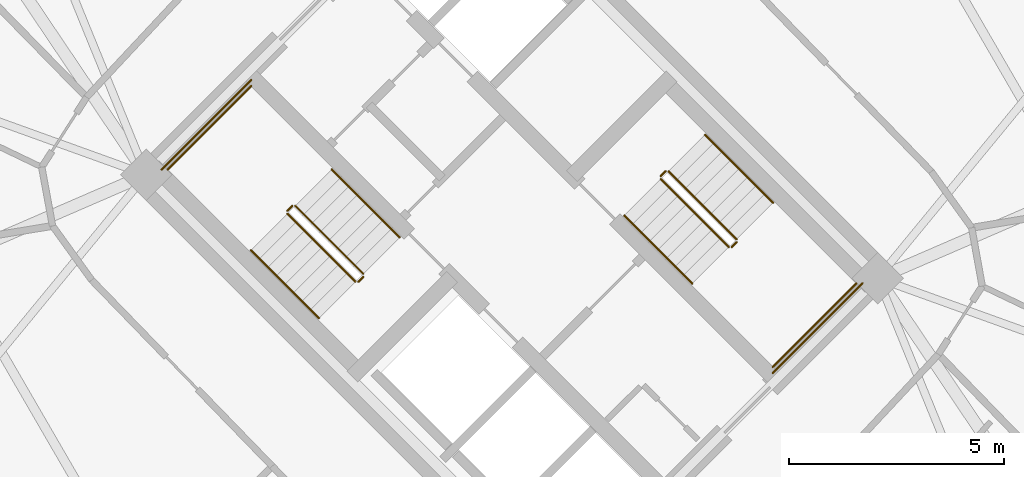
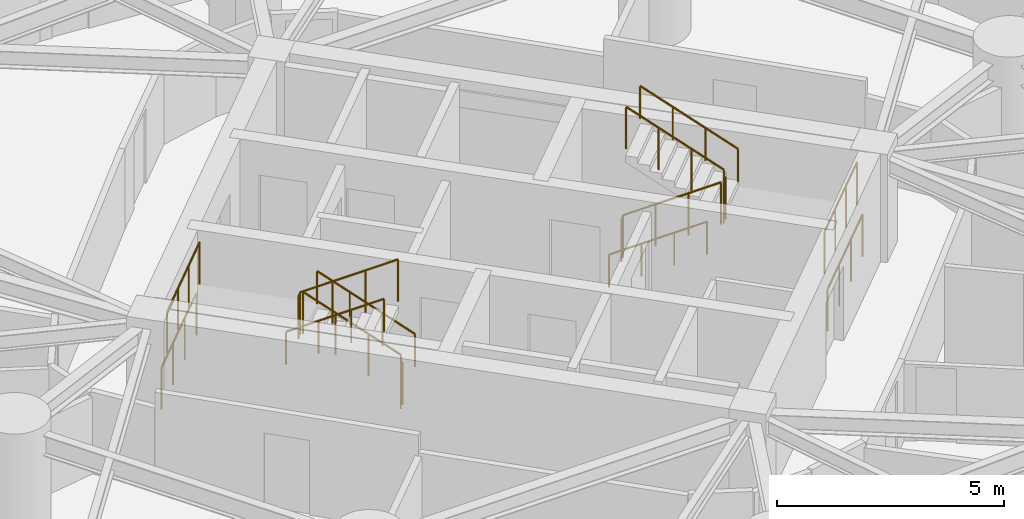
# One storey, part 18 of 19: 16 railings.
"""IFC4 building model written with IfcOpenShell, lengths in metres."""

from ifc_helpers import new_model, si_unit, direction, frame, origin, origin_2d, place, context, subcontext, project, spatial, circle, extrude, material, type_object, element, save


model = new_model("IFC4")

# Units and contexts
model_context = context("Model", 3, precision=1e-05, world=origin(), true_north=direction((0.0, 1.0)))
body_context = subcontext(model_context, "Body", "Model", "MODEL_VIEW")
ifc_project = project(units=[si_unit("LENGTHUNIT", "METRE"), si_unit("AREAUNIT", "SQUARE_METRE"), si_unit("VOLUMEUNIT", "CUBIC_METRE"), si_unit("PLANEANGLEUNIT", "RADIAN"), si_unit("MASSUNIT", "GRAM", prefix="KILO")], contexts=[model_context])

# Site, building, storey
site_placement = place(None, origin())
site = spatial("IfcSite", under=ifc_project, at=site_placement, CompositionType="ELEMENT")
building_placement = place(site_placement, origin())
building = spatial("IfcBuilding", under=site, at=building_placement, Name="Cununo Teusaquillo Station Towers", CompositionType="ELEMENT")
storey_placement = place(building_placement, frame((0.0, 0.0, 42.3701171875)))
storey = spatial("IfcBuildingStorey", under=building, at=storey_placement, Name="L12", CompositionType="ELEMENT", Elevation=42.3701171875)

# Railings
ifc_material_1 = material(Name="Steel EN 10025-2 S355J2", Category="steel")
railing_type_1 = type_object("IfcRailingType", Name="RL-INT-GUARD", PredefinedType="GUARDRAIL", material=ifc_material_1)
railing_1_placement = place(storey_placement, frame((54.03515625, 23.39697265625, 0.16162109375)))
element("IfcRailing", 1, at=railing_1_placement, inside=storey, type_object=railing_type_1, Name="L12 ST-T2-1 stair guard 1", PredefinedType="GUARDRAIL", context=body_context, shape_type="SweptSolid", body=[
    extrude(circle(Radius=0.02392578125, at=origin_2d()), frame((0.0, 0.0, 1.1259765625), z_axis=(-0.612361259024, 0.612361259024, 0.500027376144), x_axis=(-0.707106781187, -0.707106781187, 0.0)), (0.0, 0.0, 1.0), 2.586181640625),
    extrude(circle(Radius=0.02099609375, at=origin_2d()), origin(), (0.0, 0.0, 1.0), 1.101806640625),
    extrude(circle(Radius=0.02099609375, at=origin_2d()), frame((-0.52783203125, 0.52783203125, 0.43115234375)), (0.0, 0.0, 1.0), 1.101806640625),
    extrude(circle(Radius=0.02099609375, at=origin_2d()), frame((-1.055908203125, 1.055908203125, 0.862060546875)), (0.0, 0.0, 1.0), 1.101806640625),
    extrude(circle(Radius=0.02099609375, at=origin_2d()), frame((-1.583740234375, 1.583740234375, 1.293212890625)), (0.0, 0.0, 1.0), 1.101806640625),
])
railing_2_placement = place(storey_placement, frame((52.380615234375, 24.980712890625, 1.454833984375)))
element("IfcRailing", 2, at=railing_2_placement, inside=storey, type_object=railing_type_1, Name="L12 ST-T2-1 stair guard 2", PredefinedType="GUARDRAIL", context=body_context, shape_type="SweptSolid", body=[
    extrude(circle(Radius=0.02392578125, at=origin_2d()), frame((0.0, 0.0, 1.1259765625), z_axis=(-0.7078691598, -0.706343579714, 0.0), x_axis=(0.706343579714, -0.7078691598, 0.0)), (0.0, 0.0, 1.0), 0.159912109375),
    extrude(circle(Radius=0.02099609375, at=origin_2d()), origin(), (0.0, 0.0, 1.0), 1.101806640625),
    extrude(circle(Radius=0.02099609375, at=origin_2d()), frame((-0.11328125, -0.113037109375, 0.0)), (0.0, 0.0, 1.0), 1.101806640625),
])
railing_3_placement = place(storey_placement, frame((51.426025390625, 27.77392578125, 1.454833984375)))
element("IfcRailing", 3, at=railing_3_placement, inside=storey, type_object=railing_type_1, Name="L12 ST-T2-1 stair guard 3", PredefinedType="GUARDRAIL", context=body_context, shape_type="SweptSolid", body=[
    extrude(circle(Radius=0.02392578125, at=origin_2d()), frame((0.0, 0.0, 1.1259765625), z_axis=(-0.707106781187, -0.707106781187, 0.0), x_axis=(0.707106781187, -0.707106781187, 0.0)), (0.0, 0.0, 1.0), 2.760009765625),
    extrude(circle(Radius=0.02099609375, at=origin_2d()), origin(), (0.0, 0.0, 1.0), 1.101806640625),
    extrude(circle(Radius=0.02099609375, at=origin_2d()), frame((-0.650634765625, -0.650634765625, 0.0)), (0.0, 0.0, 1.0), 1.101806640625),
    extrude(circle(Radius=0.02099609375, at=origin_2d()), frame((-1.301025390625, -1.301025390625, 0.0)), (0.0, 0.0, 1.0), 1.101806640625),
    extrude(circle(Radius=0.02099609375, at=origin_2d()), frame((-1.95166015625, -1.95166015625, 0.0)), (0.0, 0.0, 1.0), 1.101806640625),
])
railing_4_placement = place(storey_placement, frame((52.267333984375, 24.796875, 1.616455078125)))
element("IfcRailing", 4, at=railing_4_placement, inside=storey, type_object=railing_type_1, Name="L12 ST-T2-1 stair guard 4", PredefinedType="GUARDRAIL", context=body_context, shape_type="SweptSolid", body=[
    extrude(circle(Radius=0.02392578125, at=origin_2d()), frame((0.0, 0.0, 1.1259765625), z_axis=(0.612391349474, -0.612296961165, 0.500069261639), x_axis=(0.707052281454, 0.707161276719, 0.0)), (0.0, 0.0, 1.0), 2.586669921875),
    extrude(circle(Radius=0.02099609375, at=origin_2d()), origin(), (0.0, 0.0, 1.0), 1.101806640625),
    extrude(circle(Radius=0.02099609375, at=origin_2d()), frame((0.528076171875, -0.52783203125, 0.43115234375)), (0.0, 0.0, 1.0), 1.101806640625),
    extrude(circle(Radius=0.02099609375, at=origin_2d()), frame((1.055908203125, -1.055908203125, 0.8623046875)), (0.0, 0.0, 1.0), 1.101806640625),
    extrude(circle(Radius=0.02099609375, at=origin_2d()), frame((1.583984375, -1.583740234375, 1.29345703125)), (0.0, 0.0, 1.0), 1.101806640625),
])
railing_5_placement = place(storey_placement, frame((54.03515625, 23.326171875, 0.0)))
element("IfcRailing", 5, at=railing_5_placement, inside=storey, type_object=railing_type_1, Name="L12 ST-T2-1 stair guard 5", PredefinedType="GUARDRAIL", context=body_context, shape_type="SweptSolid", body=[
    extrude(circle(Radius=0.02392578125, at=origin_2d()), frame((0.0, 0.0, 1.1259765625), z_axis=(-0.707106781187, -0.707106781187, 0.0), x_axis=(0.707106781187, -0.707106781187, 0.0)), (0.0, 0.0, 1.0), 0.159912109375),
    extrude(circle(Radius=0.02099609375, at=origin_2d()), origin(), (0.0, 0.0, 1.0), 1.101806640625),
    extrude(circle(Radius=0.02099609375, at=origin_2d()), frame((-0.113037109375, -0.113037109375, 0.0)), (0.0, 0.0, 1.0), 1.101806640625),
])
railing_6_placement = place(storey_placement, frame((51.426025390625, 27.915283203125, 0.0)))
element("IfcRailing", 6, at=railing_6_placement, inside=storey, type_object=railing_type_1, Name="L12 ST-T2-1 stair guard 6", PredefinedType="GUARDRAIL", context=body_context, shape_type="SweptSolid", body=[
    extrude(circle(Radius=0.02392578125, at=origin_2d()), frame((0.0, 0.0, 1.1259765625), z_axis=(-0.707106781187, -0.707106781187, 0.0), x_axis=(0.707106781187, -0.707106781187, 0.0)), (0.0, 0.0, 1.0), 2.9599609375),
    extrude(circle(Radius=0.02099609375, at=origin_2d()), origin(), (0.0, 0.0, 1.0), 1.101806640625),
    extrude(circle(Radius=0.02099609375, at=origin_2d()), frame((-0.69775390625, -0.69775390625, 0.0)), (0.0, 0.0, 1.0), 1.101806640625),
    extrude(circle(Radius=0.02099609375, at=origin_2d()), frame((-1.395263671875, -1.395263671875, 0.0)), (0.0, 0.0, 1.0), 1.101806640625),
    extrude(circle(Radius=0.02099609375, at=origin_2d()), frame((-2.093017578125, -2.093017578125, 0.0)), (0.0, 0.0, 1.0), 1.101806640625),
])
railing_7_placement = place(storey_placement, frame((60.96484375, 25.60302734375, 0.16162109375)))
element("IfcRailing", 7, at=railing_7_placement, inside=storey, type_object=railing_type_1, Name="L12 ST-T2-2 stair guard 1", PredefinedType="GUARDRAIL", context=body_context, shape_type="SweptSolid", body=[
    extrude(circle(Radius=0.02392578125, at=origin_2d()), frame((0.0, 0.0, 1.1259765625), z_axis=(0.612361259024, -0.612361259024, 0.500027376144), x_axis=(0.707106781187, 0.707106781187, 0.0)), (0.0, 0.0, 1.0), 2.586181640625),
    extrude(circle(Radius=0.02099609375, at=origin_2d()), origin(), (0.0, 0.0, 1.0), 1.101806640625),
    extrude(circle(Radius=0.02099609375, at=origin_2d()), frame((0.52783203125, -0.52783203125, 0.43115234375)), (0.0, 0.0, 1.0), 1.101806640625),
    extrude(circle(Radius=0.02099609375, at=origin_2d()), frame((1.055908203125, -1.055908203125, 0.862060546875)), (0.0, 0.0, 1.0), 1.101806640625),
    extrude(circle(Radius=0.02099609375, at=origin_2d()), frame((1.583740234375, -1.583740234375, 1.293212890625)), (0.0, 0.0, 1.0), 1.101806640625),
])
railing_8_placement = place(storey_placement, frame((62.619384765625, 24.019287109375, 1.454833984375)))
element("IfcRailing", 8, at=railing_8_placement, inside=storey, type_object=railing_type_1, Name="L12 ST-T2-2 stair guard 2", PredefinedType="GUARDRAIL", context=body_context, shape_type="SweptSolid", body=[
    extrude(circle(Radius=0.02392578125, at=origin_2d()), frame((0.0, 0.0, 1.1259765625), z_axis=(0.7078691598, 0.706343579714, 0.0), x_axis=(-0.706343579714, 0.7078691598, 0.0)), (0.0, 0.0, 1.0), 0.159912109375),
    extrude(circle(Radius=0.02099609375, at=origin_2d()), origin(), (0.0, 0.0, 1.0), 1.101806640625),
    extrude(circle(Radius=0.02099609375, at=origin_2d()), frame((0.11328125, 0.113037109375, 0.0)), (0.0, 0.0, 1.0), 1.101806640625),
])
railing_9_placement = place(storey_placement, frame((63.573974609375, 21.22607421875, 1.454833984375)))
element("IfcRailing", 9, at=railing_9_placement, inside=storey, type_object=railing_type_1, Name="L12 ST-T2-2 stair guard 3", PredefinedType="GUARDRAIL", context=body_context, shape_type="SweptSolid", body=[
    extrude(circle(Radius=0.02392578125, at=origin_2d()), frame((0.0, 0.0, 1.1259765625), z_axis=(0.707106781187, 0.707106781187, 0.0), x_axis=(-0.707106781187, 0.707106781187, 0.0)), (0.0, 0.0, 1.0), 2.760009765625),
    extrude(circle(Radius=0.02099609375, at=origin_2d()), origin(), (0.0, 0.0, 1.0), 1.101806640625),
    extrude(circle(Radius=0.02099609375, at=origin_2d()), frame((0.650634765625, 0.650634765625, 0.0)), (0.0, 0.0, 1.0), 1.101806640625),
    extrude(circle(Radius=0.02099609375, at=origin_2d()), frame((1.301025390625, 1.301025390625, 0.0)), (0.0, 0.0, 1.0), 1.101806640625),
    extrude(circle(Radius=0.02099609375, at=origin_2d()), frame((1.95166015625, 1.95166015625, 0.0)), (0.0, 0.0, 1.0), 1.101806640625),
])
railing_10_placement = place(storey_placement, frame((62.732666015625, 24.203125, 1.616455078125)))
element("IfcRailing", 10, at=railing_10_placement, inside=storey, type_object=railing_type_1, Name="L12 ST-T2-2 stair guard 4", PredefinedType="GUARDRAIL", context=body_context, shape_type="SweptSolid", body=[
    extrude(circle(Radius=0.02392578125, at=origin_2d()), frame((0.0, 0.0, 1.1259765625), z_axis=(-0.612391349474, 0.612296961165, 0.500069261639), x_axis=(-0.707052281454, -0.707161276719, 0.0)), (0.0, 0.0, 1.0), 2.586669921875),
    extrude(circle(Radius=0.02099609375, at=origin_2d()), origin(), (0.0, 0.0, 1.0), 1.101806640625),
    extrude(circle(Radius=0.02099609375, at=origin_2d()), frame((-0.528076171875, 0.52783203125, 0.43115234375)), (0.0, 0.0, 1.0), 1.101806640625),
    extrude(circle(Radius=0.02099609375, at=origin_2d()), frame((-1.055908203125, 1.055908203125, 0.8623046875)), (0.0, 0.0, 1.0), 1.101806640625),
    extrude(circle(Radius=0.02099609375, at=origin_2d()), frame((-1.583984375, 1.583740234375, 1.29345703125)), (0.0, 0.0, 1.0), 1.101806640625),
])
railing_11_placement = place(storey_placement, frame((60.96484375, 25.673828125, 0.0)))
element("IfcRailing", 11, at=railing_11_placement, inside=storey, type_object=railing_type_1, Name="L12 ST-T2-2 stair guard 5", PredefinedType="GUARDRAIL", context=body_context, shape_type="SweptSolid", body=[
    extrude(circle(Radius=0.02392578125, at=origin_2d()), frame((0.0, 0.0, 1.1259765625), z_axis=(0.707106781187, 0.707106781187, 0.0), x_axis=(-0.707106781187, 0.707106781187, 0.0)), (0.0, 0.0, 1.0), 0.159912109375),
    extrude(circle(Radius=0.02099609375, at=origin_2d()), origin(), (0.0, 0.0, 1.0), 1.101806640625),
    extrude(circle(Radius=0.02099609375, at=origin_2d()), frame((0.113037109375, 0.113037109375, 0.0)), (0.0, 0.0, 1.0), 1.101806640625),
])
railing_12_placement = place(storey_placement, frame((63.573974609375, 21.084716796875, 0.0)))
element("IfcRailing", 12, at=railing_12_placement, inside=storey, type_object=railing_type_1, Name="L12 ST-T2-2 stair guard 6", PredefinedType="GUARDRAIL", context=body_context, shape_type="SweptSolid", body=[
    extrude(circle(Radius=0.02392578125, at=origin_2d()), frame((0.0, 0.0, 1.1259765625), z_axis=(0.707106781187, 0.707106781187, 0.0), x_axis=(-0.707106781187, 0.707106781187, 0.0)), (0.0, 0.0, 1.0), 2.9599609375),
    extrude(circle(Radius=0.02099609375, at=origin_2d()), origin(), (0.0, 0.0, 1.0), 1.101806640625),
    extrude(circle(Radius=0.02099609375, at=origin_2d()), frame((0.69775390625, 0.69775390625, 0.0)), (0.0, 0.0, 1.0), 1.101806640625),
    extrude(circle(Radius=0.02099609375, at=origin_2d()), frame((1.395263671875, 1.395263671875, 0.0)), (0.0, 0.0, 1.0), 1.101806640625),
    extrude(circle(Radius=0.02099609375, at=origin_2d()), frame((2.093017578125, 2.093017578125, 0.0)), (0.0, 0.0, 1.0), 1.101806640625),
])
ifc_material_2 = material(Name="Steel EN 10025-2 S355J2", Category="steel")
railing_type_2 = type_object("IfcRailingType", Name="RL-INT-HRAIL", PredefinedType="HANDRAIL", material=ifc_material_2)
railing_13_placement = place(storey_placement, frame((54.8837890625, 24.245361328125, 0.16162109375)))
element("IfcRailing", 13, at=railing_13_placement, inside=storey, type_object=railing_type_2, Name="L12 ST-T2-1 stair handrail 1", PredefinedType="HANDRAIL", context=body_context, shape_type="SweptSolid", body=[
    extrude(circle(Radius=0.02392578125, at=origin_2d()), frame((0.0, 0.0, 0.8759765625), z_axis=(-0.612384857071, 0.612384857071, 0.499969572735), x_axis=(-0.707106781187, -0.707106781187, 0.0)), (0.0, 0.0, 1.0), 2.586669921875),
    extrude(circle(Radius=0.02099609375, at=origin_2d()), origin(), (0.0, 0.0, 1.0), 0.851806640625),
    extrude(circle(Radius=0.02099609375, at=origin_2d()), frame((-0.528076171875, 0.528076171875, 0.43115234375)), (0.0, 0.0, 1.0), 0.851806640625),
    extrude(circle(Radius=0.02099609375, at=origin_2d()), frame((-1.055908203125, 1.055908203125, 0.862060546875)), (0.0, 0.0, 1.0), 0.851806640625),
    extrude(circle(Radius=0.02099609375, at=origin_2d()), frame((-1.583984375, 1.583984375, 1.293212890625)), (0.0, 0.0, 1.0), 0.851806640625),
])
railing_14_placement = place(storey_placement, frame((51.4189453125, 23.948486328125, 1.616455078125)))
element("IfcRailing", 14, at=railing_14_placement, inside=storey, type_object=railing_type_2, Name="L12 ST-T2-1 stair handrail 2", PredefinedType="HANDRAIL", context=body_context, shape_type="SweptSolid", body=[
    extrude(circle(Radius=0.02392578125, at=origin_2d()), frame((0.0, 0.0, 0.8759765625), z_axis=(0.612355957468, -0.612355957468, 0.500040361077), x_axis=(0.707106781187, 0.707106781187, 0.0)), (0.0, 0.0, 1.0), 2.586669921875),
    extrude(circle(Radius=0.02099609375, at=origin_2d()), origin(), (0.0, 0.0, 1.0), 0.851806640625),
    extrude(circle(Radius=0.02099609375, at=origin_2d()), frame((0.528076171875, -0.528076171875, 0.43115234375)), (0.0, 0.0, 1.0), 0.851806640625),
    extrude(circle(Radius=0.02099609375, at=origin_2d()), frame((1.055908203125, -1.055908203125, 0.8623046875)), (0.0, 0.0, 1.0), 0.851806640625),
    extrude(circle(Radius=0.02099609375, at=origin_2d()), frame((1.583984375, -1.583984375, 1.29345703125)), (0.0, 0.0, 1.0), 0.851806640625),
])
railing_15_placement = place(storey_placement, frame((60.1162109375, 24.754638671875, 0.16162109375)))
element("IfcRailing", 15, at=railing_15_placement, inside=storey, type_object=railing_type_2, Name="L12 ST-T2-2 stair handrail 1", PredefinedType="HANDRAIL", context=body_context, shape_type="SweptSolid", body=[
    extrude(circle(Radius=0.02392578125, at=origin_2d()), frame((0.0, 0.0, 0.8759765625), z_axis=(0.612384857071, -0.612384857071, 0.499969572735), x_axis=(0.707106781187, 0.707106781187, 0.0)), (0.0, 0.0, 1.0), 2.586669921875),
    extrude(circle(Radius=0.02099609375, at=origin_2d()), origin(), (0.0, 0.0, 1.0), 0.851806640625),
    extrude(circle(Radius=0.02099609375, at=origin_2d()), frame((0.528076171875, -0.528076171875, 0.43115234375)), (0.0, 0.0, 1.0), 0.851806640625),
    extrude(circle(Radius=0.02099609375, at=origin_2d()), frame((1.055908203125, -1.055908203125, 0.862060546875)), (0.0, 0.0, 1.0), 0.851806640625),
    extrude(circle(Radius=0.02099609375, at=origin_2d()), frame((1.583984375, -1.583984375, 1.293212890625)), (0.0, 0.0, 1.0), 0.851806640625),
])
railing_16_placement = place(storey_placement, frame((63.5810546875, 25.051513671875, 1.616455078125)))
element("IfcRailing", 16, at=railing_16_placement, inside=storey, type_object=railing_type_2, Name="L12 ST-T2-2 stair handrail 2", PredefinedType="HANDRAIL", context=body_context, shape_type="SweptSolid", body=[
    extrude(circle(Radius=0.02392578125, at=origin_2d()), frame((0.0, 0.0, 0.8759765625), z_axis=(-0.612355957468, 0.612355957468, 0.500040361077), x_axis=(-0.707106781187, -0.707106781187, 0.0)), (0.0, 0.0, 1.0), 2.586669921875),
    extrude(circle(Radius=0.02099609375, at=origin_2d()), origin(), (0.0, 0.0, 1.0), 0.851806640625),
    extrude(circle(Radius=0.02099609375, at=origin_2d()), frame((-0.528076171875, 0.528076171875, 0.43115234375)), (0.0, 0.0, 1.0), 0.851806640625),
    extrude(circle(Radius=0.02099609375, at=origin_2d()), frame((-1.055908203125, 1.055908203125, 0.8623046875)), (0.0, 0.0, 1.0), 0.851806640625),
    extrude(circle(Radius=0.02099609375, at=origin_2d()), frame((-1.583984375, 1.583984375, 1.29345703125)), (0.0, 0.0, 1.0), 0.851806640625),
])

save(model, "model.ifc")
